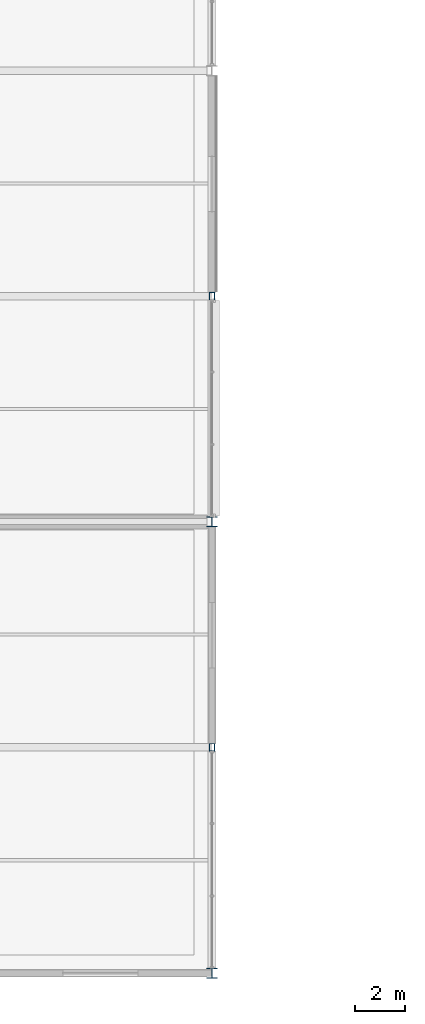
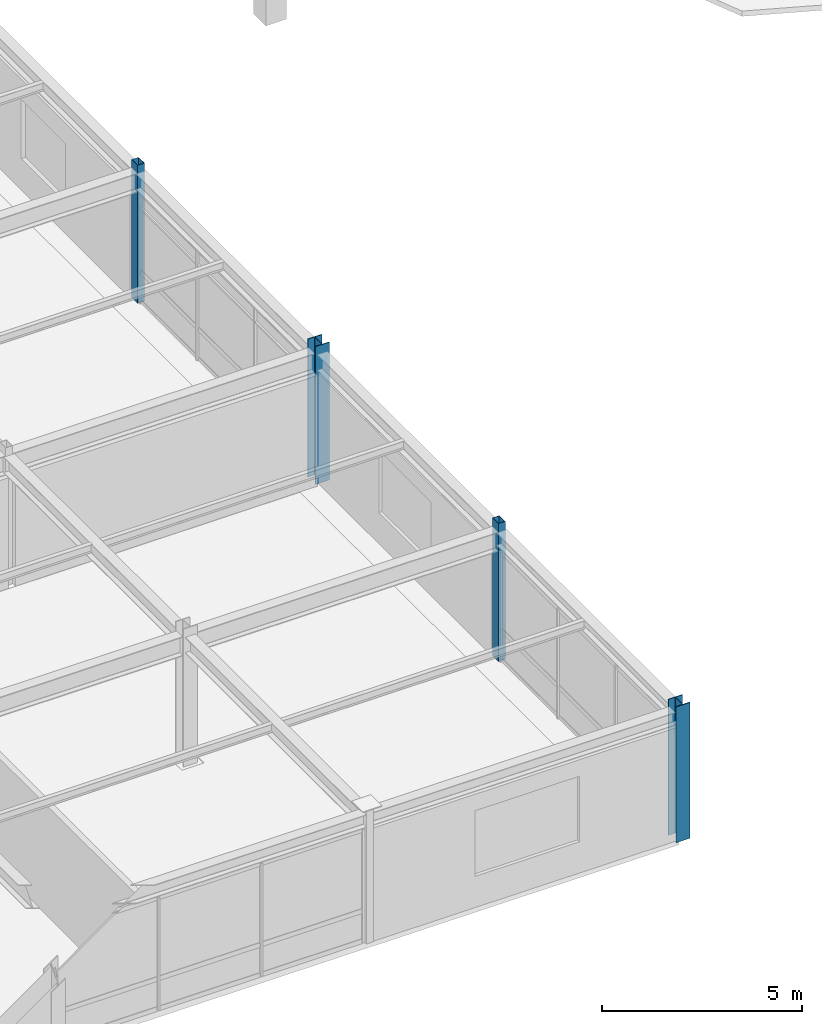
# One storey, part 2 of 105: 4 columns.
"""IFC4 building model written with IfcOpenShell, lengths in metres."""

from ifc_helpers import new_model, si_unit, direction, frame, origin, origin_2d, place, context, subcontext, project, spatial, hollow_rectangle, i_section, extrude, material, material_profile, profile_set, type_object, element, save


model = new_model("IFC4")

# Units and contexts
model_context = context("Model", 3, precision=1e-05, world=origin(), true_north=direction((0.0, 1.0)))
body_context = subcontext(model_context, "Body", "Model", "MODEL_VIEW")
ifc_project = project(units=[si_unit("LENGTHUNIT", "METRE"), si_unit("AREAUNIT", "SQUARE_METRE"), si_unit("VOLUMEUNIT", "CUBIC_METRE"), si_unit("PLANEANGLEUNIT", "RADIAN"), si_unit("MASSUNIT", "GRAM", prefix="KILO")], contexts=[model_context])

# Site, building, storey
site_placement = place(None, origin())
site = spatial("IfcSite", under=ifc_project, at=site_placement, CompositionType="ELEMENT")
building_placement = place(site_placement, origin())
building = spatial("IfcBuilding", under=site, at=building_placement, Name="Suzunagisa Mobility Hub", CompositionType="ELEMENT")
storey_placement = place(building_placement, frame((0.0, 0.0, 5.10009765625)))
storey = spatial("IfcBuildingStorey", under=building, at=storey_placement, Name="L01", CompositionType="ELEMENT", Elevation=5.10009765625)

# Columns
ifc_material = material(Name="Steel SN490B", Category="steel")
ifc_material_profile_1 = material_profile(ifc_material, i_section(OverallWidth=0.39990234375, OverallDepth=0.39990234375, WebThickness=0.012939453125, FlangeThickness=0.02099609375, FilletRadius=0.01611328125, at=origin_2d()), Name="H-400x400x13x21")
ifc_profile_set_1 = profile_set([ifc_material_profile_1], Name="Steel SN490B")
column_type_1 = type_object("IfcColumnType", Name="Steel Column CL-10 H-400x400x13x21", PredefinedType="COLUMN", material=ifc_profile_set_1)
column_1_placement = place(storey_placement, frame((36.0, 0.0, 0.0), z_axis=(0.0, 0.0, 1.0), x_axis=(1.0, 0.0, 0.0)))
element("IfcColumn", 1, at=column_1_placement, inside=storey, type_object=column_type_1, Name="L01 Column 77", PredefinedType="COLUMN", context=body_context, shape_type="SweptSolid", body=[
    extrude(i_section(OverallWidth=0.39990234375, OverallDepth=0.39990234375, WebThickness=0.012939453125, FlangeThickness=0.02099609375, FilletRadius=0.01611328125, at=origin_2d()), origin(), (0.0, 0.0, 1.0), 4.139892578125),
])
column_2_placement = place(storey_placement, frame((36.0, 18.0, 0.0), z_axis=(0.0, 0.0, 1.0), x_axis=(1.0, 0.0, 0.0)))
element("IfcColumn", 2, at=column_2_placement, inside=storey, type_object=column_type_1, Name="L01 Column 79", PredefinedType="COLUMN", context=body_context, shape_type="SweptSolid", body=[
    extrude(i_section(OverallWidth=0.39990234375, OverallDepth=0.39990234375, WebThickness=0.012939453125, FlangeThickness=0.02099609375, FilletRadius=0.01611328125, at=origin_2d()), origin(), (0.0, 0.0, 1.0), 4.199951171875),
])
ifc_material_profile_2 = material_profile(ifc_material, hollow_rectangle(XDim=0.199951171875, YDim=0.300048828125, WallThickness=0.011962890625, at=origin_2d()), Name="RHS-300x200x12")
ifc_profile_set_2 = profile_set([ifc_material_profile_2], Name="Steel SN490B")
column_type_2 = type_object("IfcColumnType", Name="Steel Column CL-15 RHS-300x200x12", PredefinedType="COLUMN", material=ifc_profile_set_2)
for number, where, z_axis, x_axis, name in (
    (3, (36.0, 9.0, 0.0), (0.0, 0.0, 1.0), (1.0, 0.0, 0.0), "L01 Column 78"),
    (4, (36.0, 27.0, 0.0), (0.0, 0.0, 1.0), (1.0, 0.0, 0.0), "L01 Column 80"),
):
    element("IfcColumn", number, at=place(storey_placement, frame(where, z_axis=z_axis, x_axis=x_axis)), inside=storey, type_object=column_type_2, Name=name, PredefinedType="COLUMN", context=body_context, shape_type="SweptSolid", body=[
        extrude(hollow_rectangle(XDim=0.199951171875, YDim=0.300048828125, WallThickness=0.011962890625, at=origin_2d()), origin(), (0.0, 0.0, 1.0), 4.199951171875),
    ])

save(model, "model.ifc")
